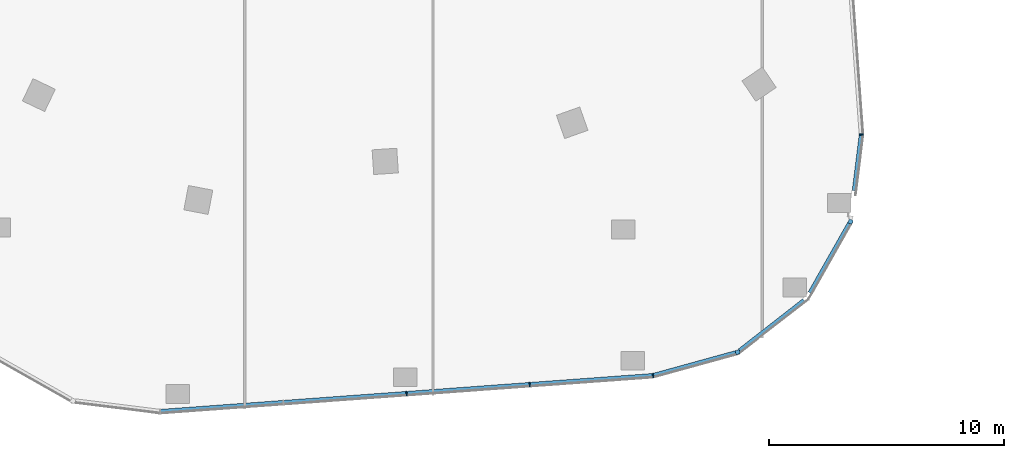
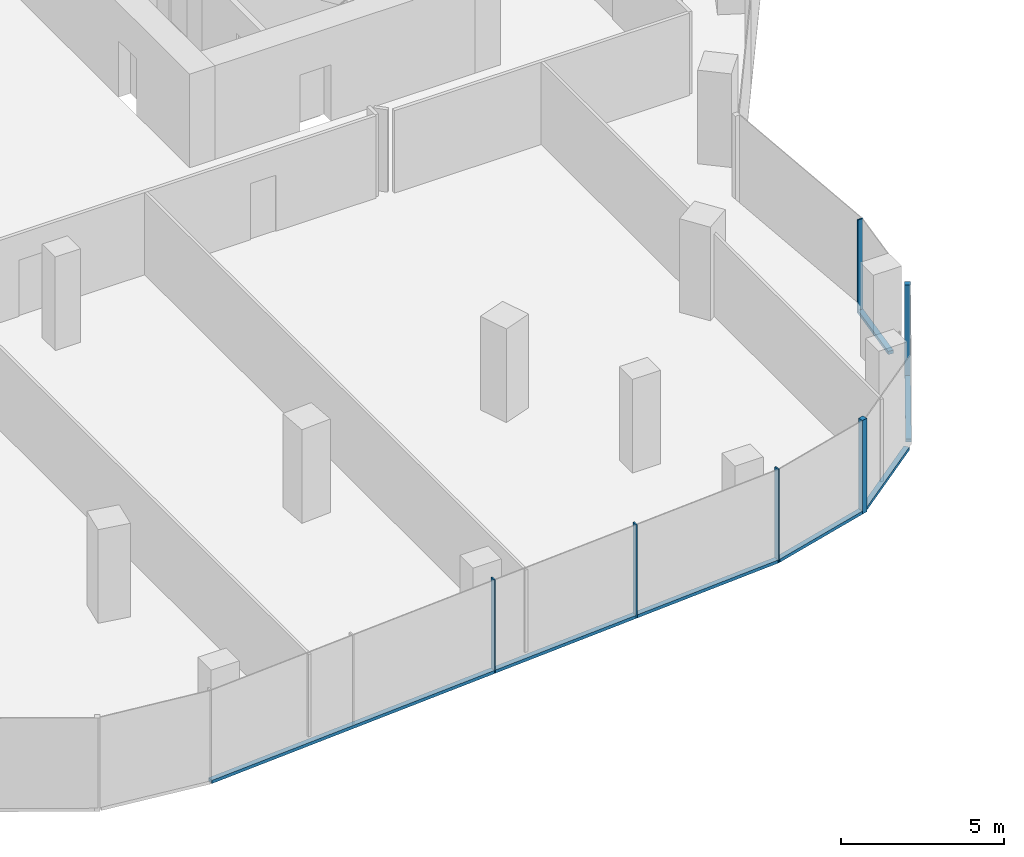
# One storey, part 4 of 24: 11 members, 5 elements without a shape of their own.
"""IFC4 building model written with IfcOpenShell, lengths in metres."""

from ifc_helpers import new_model, si_unit, direction, frame, origin, origin_2d, place, context, subcontext, project, spatial, rectangle, extrude, material, material_profile, profile_set, type_object, element, aggregate, save


model = new_model("IFC4")

# Units and contexts
model_context = context("Model", 3, precision=1e-05, world=origin(), true_north=direction((0.0, 1.0)))
body_context = subcontext(model_context, "Body", "Model", "MODEL_VIEW")
ifc_project = project(units=[si_unit("LENGTHUNIT", "METRE"), si_unit("AREAUNIT", "SQUARE_METRE"), si_unit("VOLUMEUNIT", "CUBIC_METRE"), si_unit("PLANEANGLEUNIT", "RADIAN"), si_unit("MASSUNIT", "GRAM", prefix="KILO")], contexts=[model_context])

# Site, building, storey
site_placement = place(None, origin())
site = spatial("IfcSite", under=ifc_project, at=site_placement, CompositionType="ELEMENT")
building_placement = place(site_placement, origin())
building = spatial("IfcBuilding", under=site, at=building_placement, Name="Orlundy Tower", CompositionType="ELEMENT")
storey_placement = place(building_placement, frame((0.0, 0.0, 239.0)))
storey = spatial("IfcBuildingStorey", under=building, at=storey_placement, Name="L63", CompositionType="ELEMENT", Elevation=239.0)

# Curtain wall, member
ifc_material_1 = material(Name="Aluminium bronze anodised", Category="aluminium")
curtain_wall_type = type_object("IfcCurtainWallType", Name="CW1 wall", PredefinedType="NOTDEFINED", material=ifc_material_1)
curtain_wall_1_placement = place(storey_placement, origin())
curtain_wall_1 = element("IfcCurtainWall", 1, at=curtain_wall_1_placement, inside=storey, type_object=curtain_wall_type, Name="CW1 run 04", PredefinedType="NOTDEFINED")
ifc_material_2 = material(Name="Aluminium bronze anodised", Category="aluminium")
ifc_material_profile_1 = material_profile(ifc_material_2, rectangle(XDim=0.179931640625, YDim=0.179931640625, at=origin_2d()), Name="CW1 corner post 180x180")
ifc_profile_set_1 = profile_set([ifc_material_profile_1], Name="Aluminium bronze anodised")
member_type_1 = type_object("IfcMemberType", Name="CW1 corner post 180x180", PredefinedType="MULLION", material=ifc_profile_set_1)
member_1_placement = place(storey_placement, frame((21.757080078125, -32.1748046875, -0.39990234375), z_axis=(0.0, 0.0, 1.0), x_axis=(0.869601381531, -0.493754430095, 0.0)))
member_1 = element("IfcMember", 2, at=member_1_placement, type_object=member_type_1, Name="CW1 mullion 7", PredefinedType="MULLION", context=body_context, shape_type="SweptSolid", body=[
    extrude(rectangle(XDim=0.179931640625, YDim=0.179931640625, at=origin_2d()), origin(), (0.0, 0.0, 1.0), 3.5),
])

curtain_wall_2_placement = place(storey_placement, origin())
curtain_wall_2 = element("IfcCurtainWall", 3, at=curtain_wall_2_placement, inside=storey, type_object=curtain_wall_type, Name="CW1 run 06", PredefinedType="NOTDEFINED")
member_2_placement = place(storey_placement, frame((16.957275390625, -37.72900390625, -0.39990234375), z_axis=(0.0, 0.0, 1.0), x_axis=(0.265946284152, -0.96398784948, 0.0)))
member_2 = element("IfcMember", 4, at=member_2_placement, type_object=member_type_1, Name="CW1 mullion 9", PredefinedType="MULLION", context=body_context, shape_type="SweptSolid", body=[
    extrude(rectangle(XDim=0.179931640625, YDim=0.179931640625, at=origin_2d()), origin(), (0.0, 0.0, 1.0), 3.5),
])

curtain_wall_3_placement = place(storey_placement, origin())
curtain_wall_3 = element("IfcCurtainWall", 5, at=curtain_wall_3_placement, inside=storey, type_object=curtain_wall_type, Name="CW1 run 03", PredefinedType="NOTDEFINED")
ifc_material_3 = material(Name="Aluminium bronze anodised", Category="aluminium")
ifc_material_profile_2 = material_profile(ifc_material_3, rectangle(XDim=0.179931640625, YDim=0.050048828125, at=origin_2d()), Name="CW1 mullion 50x180")
ifc_profile_set_2 = profile_set([ifc_material_profile_2], Name="Aluminium bronze anodised")
member_type_2 = type_object("IfcMemberType", Name="CW1 mullion 50x180", PredefinedType="MULLION", material=ifc_profile_set_2)
member_3_placement = place(storey_placement, frame((22.21728515625, -28.47021484375, -0.39990234375), z_axis=(0.0, 0.0, 1.0), x_axis=(0.999676246747, -0.025444089483, 0.0)))
member_3 = element("IfcMember", 6, at=member_3_placement, type_object=member_type_2, Name="CW1 mullion 6", PredefinedType="MULLION", context=body_context, shape_type="SweptSolid", body=[
    extrude(rectangle(XDim=0.179931640625, YDim=0.050048828125, at=origin_2d()), origin(), (0.0, 0.0, 1.0), 3.5),
])

# Curtain wall, members
curtain_wall_4_placement = place(storey_placement, origin())
curtain_wall_4 = element("IfcCurtainWall", 7, at=curtain_wall_4_placement, inside=storey, type_object=curtain_wall_type, Name="CW1 run 07", PredefinedType="NOTDEFINED")
member_4_placement = place(storey_placement, frame((13.357421875, -38.72216796875, -0.39990234375), z_axis=(0.0, 0.0, 1.0), x_axis=(0.170127379621, -0.985422079468, 0.0)))
member_4 = element("IfcMember", 8, at=member_4_placement, type_object=member_type_2, Name="CW1 mullion 10", PredefinedType="MULLION", context=body_context, shape_type="SweptSolid", body=[
    extrude(rectangle(XDim=0.179931640625, YDim=0.050048828125, at=origin_2d()), origin(), (0.0, 0.0, 1.0), 3.5),
])
member_5_placement = place(storey_placement, frame((8.112548828125, -39.104248046875, -0.39990234375), z_axis=(0.0, 0.0, 1.0), x_axis=(0.072668329988, -0.997356161969, 0.0)))
member_5 = element("IfcMember", 9, at=member_5_placement, type_object=member_type_2, Name="CW1 mullion 11", PredefinedType="MULLION", context=body_context, shape_type="SweptSolid", body=[
    extrude(rectangle(XDim=0.179931640625, YDim=0.050048828125, at=origin_2d()), origin(), (0.0, 0.0, 1.0), 3.5),
])
member_6_placement = place(storey_placement, frame((2.87646484375, -39.48583984375, -0.39990234375), z_axis=(0.0, 0.0, 1.0), x_axis=(0.072668329988, -0.997356161969, 0.0)))
member_6 = element("IfcMember", 10, at=member_6_placement, type_object=member_type_2, Name="CW1 mullion 12", PredefinedType="MULLION", context=body_context, shape_type="SweptSolid", body=[
    extrude(rectangle(XDim=0.179931640625, YDim=0.050048828125, at=origin_2d()), origin(), (0.0, 0.0, 1.0), 3.5),
])

# Member
ifc_material_4 = material(Name="Aluminium bronze anodised", Category="aluminium")
ifc_material_profile_3 = material_profile(ifc_material_4, rectangle(XDim=0.179931640625, YDim=0.1201171875, at=origin_2d()), Name="CW1 transom 180x120")
ifc_profile_set_3 = profile_set([ifc_material_profile_3], Name="Aluminium bronze anodised")
member_type_3 = type_object("IfcMemberType", Name="CW1 transom 180x120", PredefinedType="USERDEFINED", material=ifc_profile_set_3)
member_7_placement = place(storey_placement, frame((22.21435546875, -28.4951171875, -0.340087890625), z_axis=(-0.123354908055, -0.992362618532, 0.0), x_axis=(0.992362618532, -0.123354908055, 0.0)))
member_7 = element("IfcMember", 11, at=member_7_placement, type_object=member_type_3, Name="CW1 transom", ObjectType="TRANSOM", PredefinedType="USERDEFINED", context=body_context, shape_type="SweptSolid", body=[
    extrude(rectangle(XDim=0.179931640625, YDim=0.1201171875, at=origin_2d()), origin(), (0.0, 0.0, 1.0), 2.386962890625),
])

aggregate(curtain_wall_3, [member_3, member_7])

member_8_placement = place(storey_placement, frame((21.712646484375, -32.253173828125, -0.340087890625), z_axis=(-0.493783343086, -0.869584964273, 0.0), x_axis=(0.869584964273, -0.493783343086, 0.0)))
member_8 = element("IfcMember", 12, at=member_8_placement, type_object=member_type_3, Name="CW1 transom", ObjectType="TRANSOM", PredefinedType="USERDEFINED", context=body_context, shape_type="SweptSolid", body=[
    extrude(rectangle(XDim=0.179931640625, YDim=0.1201171875, at=origin_2d()), origin(), (0.0, 0.0, 1.0), 3.395751953125),
])

aggregate(curtain_wall_1, [member_1, member_8])

# Curtain wall, member
curtain_wall_5_placement = place(storey_placement, origin())
curtain_wall_5 = element("IfcCurtainWall", 13, at=curtain_wall_5_placement, inside=storey, type_object=curtain_wall_type, Name="CW1 run 05", PredefinedType="NOTDEFINED")
member_9_placement = place(storey_placement, frame((19.78369140625, -35.527099609375, -0.340087890625), z_axis=(-0.788880549611, -0.614546563285, 0.0), x_axis=(0.614546563285, -0.788880549611, 0.0)))
member_9 = element("IfcMember", 14, at=member_9_placement, type_object=member_type_3, Name="CW1 transom", ObjectType="TRANSOM", PredefinedType="USERDEFINED", context=body_context, shape_type="SweptSolid", body=[
    extrude(rectangle(XDim=0.179931640625, YDim=0.1201171875, at=origin_2d()), origin(), (0.0, 0.0, 1.0), 3.485595703125),
])
aggregate(curtain_wall_5, [member_9])

# Member
member_10_placement = place(storey_placement, frame((16.870361328125, -37.7529296875, -0.340087890625), z_axis=(-0.963993810847, -0.265924674763, 0.0), x_axis=(0.265924674763, -0.963993810847, 0.0)))
member_10 = element("IfcMember", 15, at=member_10_placement, type_object=member_type_3, Name="CW1 transom", ObjectType="TRANSOM", PredefinedType="USERDEFINED", context=body_context, shape_type="SweptSolid", body=[
    extrude(rectangle(XDim=0.179931640625, YDim=0.1201171875, at=origin_2d()), origin(), (0.0, 0.0, 1.0), 3.619140625),
])

aggregate(curtain_wall_2, [member_2, member_10])

member_11_placement = place(storey_placement, frame((13.332275390625, -38.723876953125, -0.340087890625), z_axis=(-0.997356020939, -0.072670265565, 0.0), x_axis=(0.072670265565, -0.997356020939, 0.0)))
member_11 = element("IfcMember", 16, at=member_11_placement, type_object=member_type_3, Name="CW1 transom", ObjectType="TRANSOM", PredefinedType="USERDEFINED", context=body_context, shape_type="SweptSolid", body=[
    extrude(rectangle(XDim=0.179931640625, YDim=0.1201171875, at=origin_2d()), origin(), (0.0, 0.0, 1.0), 20.967041015625),
])

aggregate(curtain_wall_4, [member_4, member_5, member_6, member_11])

save(model, "model.ifc")
